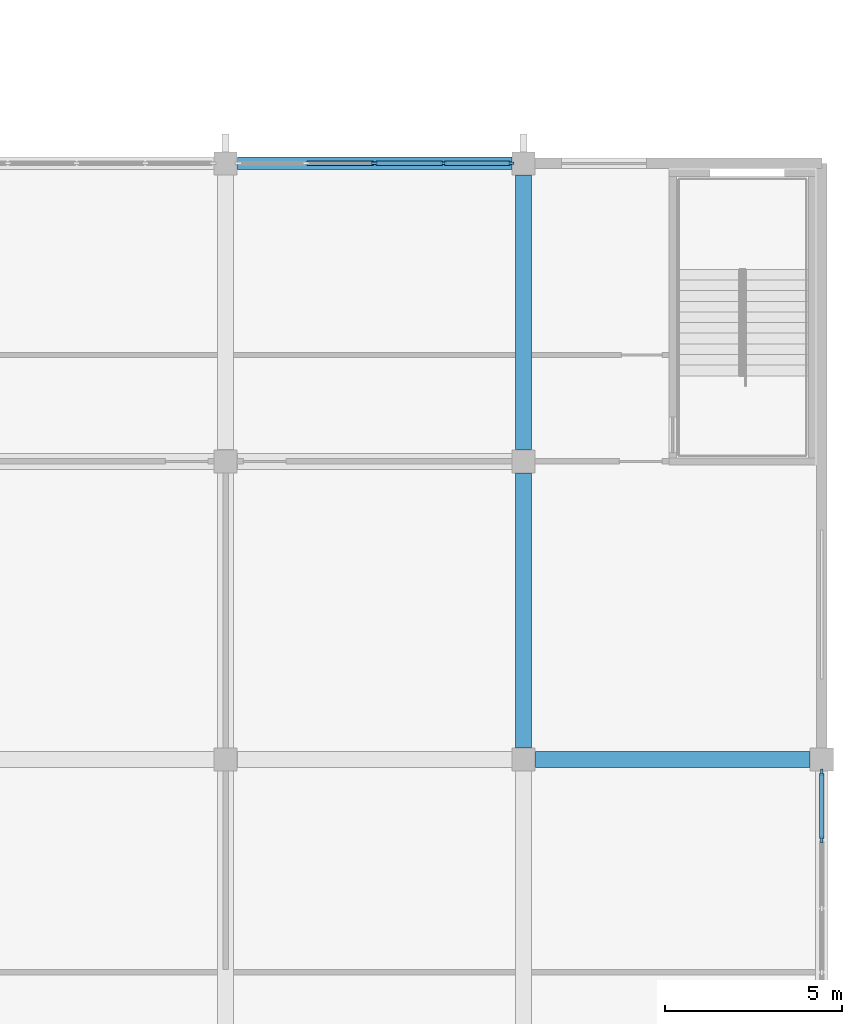
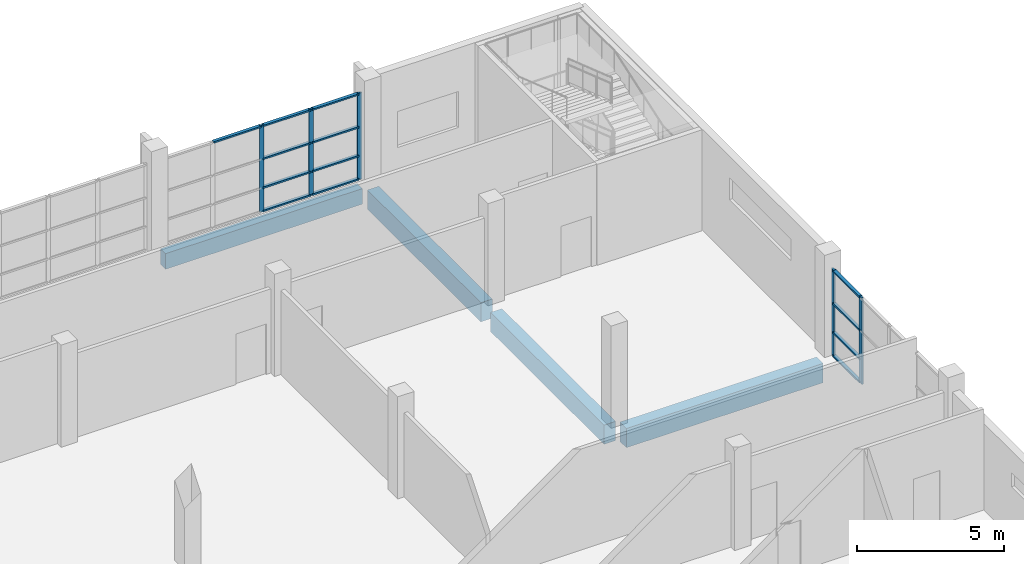
# One storey, part 9 of 64: 18 members, 4 beams, 2 elements without a shape of their own.
"""IFC4 building model written with IfcOpenShell, lengths in metres."""

from ifc_helpers import new_model, si_unit, direction, frame, origin, origin_2d, place, context, subcontext, project, spatial, rectangle, extrude, material, layer, layer_set, material_profile, profile_set, type_object, element, aggregate, save


model = new_model("IFC4")

# Units and contexts
model_context = context("Model", 3, precision=1e-05, world=origin(), true_north=direction((0.0, 1.0)))
body_context = subcontext(model_context, "Body", "Model", "MODEL_VIEW")
ifc_project = project(units=[si_unit("LENGTHUNIT", "METRE"), si_unit("AREAUNIT", "SQUARE_METRE"), si_unit("VOLUMEUNIT", "CUBIC_METRE"), si_unit("PLANEANGLEUNIT", "RADIAN"), si_unit("MASSUNIT", "GRAM", prefix="KILO")], contexts=[model_context])

# Site, building, storey
site_placement = place(None, origin())
site = spatial("IfcSite", under=ifc_project, at=site_placement, CompositionType="ELEMENT")
building_placement = place(site_placement, origin())
building = spatial("IfcBuilding", under=site, at=building_placement, Name="Rulbaag Community and Learning Centre", CompositionType="ELEMENT")
storey_placement = place(building_placement, frame((0.0, 0.0, 5.39990234375)))
storey = spatial("IfcBuildingStorey", under=building, at=storey_placement, Name="L01", CompositionType="ELEMENT", Elevation=5.39990234375)

# Beams
ifc_material_1 = material(Name="Concrete M40", Category="concrete")
ifc_material_profile_1 = material_profile(ifc_material_1, rectangle(XDim=0.449951171875, YDim=0.800048828125, at=origin_2d()), Name="RB450x800")
ifc_profile_set_1 = profile_set([ifc_material_profile_1], Name="Concrete M40")
beam_type_1 = type_object("IfcBeamType", Name="B21 Library floor beam 450x800 Concrete M40", PredefinedType="BEAM", material=ifc_profile_set_1)
for number, where, z_axis, x_axis, name in (
    (1, (159.929931640625, 33.60009765625, -0.699951171875), (1.0, 0.0, 0.0), (0.0, 1.0, 0.0), "BM-L01-20E-21E"),
    (2, (159.60009765625, 33.929931640625, -0.699951171875), (0.0, 1.0, 0.0), (-1.0, 0.0, 0.0), "BM-L01-20E-20F"),
    (3, (159.60009765625, 42.330078125, -0.699951171875), (0.0, 1.0, 0.0), (-1.0, 0.0, 0.0), "BM-L01-20F-20G"),
):
    element("IfcBeam", number, at=place(storey_placement, frame(where, z_axis=z_axis, x_axis=x_axis)), inside=storey, type_object=beam_type_1, Name=name, PredefinedType="BEAM", context=body_context, shape_type="SweptSolid", body=[
        extrude(rectangle(XDim=0.449951171875, YDim=0.800048828125, at=origin_2d()), origin(), (0.0, 0.0, 1.0), 7.739990234375),
    ])
ifc_material_profile_2 = material_profile(ifc_material_1, rectangle(XDim=0.35009765625, YDim=0.64990234375, at=origin_2d()), Name="RB350x650")
ifc_profile_set_2 = profile_set([ifc_material_profile_2], Name="Concrete M40")
beam_type_2 = type_object("IfcBeamType", Name="B8 Hall wing edge beam 350x650 Concrete M40", PredefinedType="BEAM", material=ifc_profile_set_2)
beam_placement = place(storey_placement, frame((151.530029296875, 50.39990234375, -0.625), z_axis=(1.0, 0.0, 0.0), x_axis=(0.0, 1.0, 0.0)))
element("IfcBeam", 4, at=beam_placement, inside=storey, type_object=beam_type_2, Name="BM-L01-19G-20G", PredefinedType="BEAM", context=body_context, shape_type="SweptSolid", body=[
    extrude(rectangle(XDim=0.35009765625, YDim=0.64990234375, at=origin_2d()), origin(), (0.0, 0.0, 1.0), 7.739990234375),
])

# Curtain wall, members
ifc_material_2 = material(Name="Aluminium", Category="aluminium")
ifc_layer = layer(ifc_material_2, 0.14990234375)
ifc_layer_set = layer_set([ifc_layer], Name="CW-L")
curtain_wall_type = type_object("IfcCurtainWallType", Name="CW-L", PredefinedType="USERDEFINED", material=ifc_layer_set)
curtain_wall_1_placement = place(storey_placement, origin())
curtain_wall_1 = element("IfcCurtainWall", 5, at=curtain_wall_1_placement, inside=storey, type_object=curtain_wall_type, Name="GL-L01-07", ObjectType="STICK CURTAIN WALL", PredefinedType="USERDEFINED")
ifc_material_3 = material(Name="Aluminium mullion", Category="aluminium")
ifc_material_profile_3 = material_profile(ifc_material_3, rectangle(XDim=0.06494140625, YDim=0.175048828125, at=origin_2d()), Name="AL 65x175")
ifc_profile_set_3 = profile_set([ifc_material_profile_3], Name="Aluminium mullion")
member_type_1 = type_object("IfcMemberType", Name="CW-L-MUL", PredefinedType="MULLION", material=ifc_profile_set_3)
member_1_placement = place(storey_placement, frame((155.39990234375, 50.39990234375, 0.0), z_axis=(0.0, 0.0, 1.0), x_axis=(0.0, 1.0, 0.0)))
member_1 = element("IfcMember", 6, at=member_1_placement, type_object=member_type_1, Name="GL mullion 3", PredefinedType="MULLION", context=body_context, shape_type="SweptSolid", body=[
    extrude(rectangle(XDim=0.06494140625, YDim=0.175048828125, at=origin_2d()), origin(), (0.0, 0.0, 1.0), 3.60009765625),
])
member_2_placement = place(storey_placement, frame((157.33740234375, 50.39990234375, 0.0), z_axis=(0.0, 0.0, 1.0), x_axis=(0.0, 1.0, 0.0)))
member_2 = element("IfcMember", 7, at=member_2_placement, type_object=member_type_1, Name="GL mullion 4", PredefinedType="MULLION", context=body_context, shape_type="SweptSolid", body=[
    extrude(rectangle(XDim=0.06494140625, YDim=0.175048828125, at=origin_2d()), origin(), (0.0, 0.0, 1.0), 3.60009765625),
])
member_3_placement = place(storey_placement, frame((159.242431640625, 50.39990234375, 0.0), z_axis=(0.0, 0.0, 1.0), x_axis=(0.0, 1.0, 0.0)))
member_3 = element("IfcMember", 8, at=member_3_placement, type_object=member_type_1, Name="GL mullion 5", PredefinedType="MULLION", context=body_context, shape_type="SweptSolid", body=[
    extrude(rectangle(XDim=0.06494140625, YDim=0.175048828125, at=origin_2d()), origin(), (0.0, 0.0, 1.0), 3.60009765625),
])

curtain_wall_2_placement = place(storey_placement, origin())
curtain_wall_2 = element("IfcCurtainWall", 9, at=curtain_wall_2_placement, inside=storey, type_object=curtain_wall_type, Name="GL-L01-09", ObjectType="STICK CURTAIN WALL", PredefinedType="USERDEFINED")
member_4_placement = place(storey_placement, frame((168.0, 31.33740234375, 0.0), z_axis=(0.0, 0.0, 1.0), x_axis=(-1.0, 0.0, 0.0)))
member_4 = element("IfcMember", 10, at=member_4_placement, type_object=member_type_1, Name="GL mullion 4", PredefinedType="MULLION", context=body_context, shape_type="SweptSolid", body=[
    extrude(rectangle(XDim=0.06494140625, YDim=0.175048828125, at=origin_2d()), origin(), (0.0, 0.0, 1.0), 3.60009765625),
])
member_5_placement = place(storey_placement, frame((168.0, 33.242431640625, 0.0), z_axis=(0.0, 0.0, 1.0), x_axis=(-1.0, 0.0, 0.0)))
member_5 = element("IfcMember", 11, at=member_5_placement, type_object=member_type_1, Name="GL mullion 5", PredefinedType="MULLION", context=body_context, shape_type="SweptSolid", body=[
    extrude(rectangle(XDim=0.06494140625, YDim=0.175048828125, at=origin_2d()), origin(), (0.0, 0.0, 1.0), 3.60009765625),
])

# Member
ifc_material_4 = material(Name="Aluminium transom", Category="aluminium")
ifc_material_profile_4 = material_profile(ifc_material_4, rectangle(XDim=0.125, YDim=0.06494140625, at=origin_2d()), Name="AL 65x125 T")
ifc_profile_set_4 = profile_set([ifc_material_profile_4], Name="Aluminium transom")
member_type_2 = type_object("IfcMemberType", Name="CW-L-TRN", PredefinedType="USERDEFINED", material=ifc_profile_set_4)
member_6_placement = place(storey_placement, frame((153.4951171875, 50.39990234375, 3.567626953125), z_axis=(1.0, 0.0, 0.0), x_axis=(0.0, 1.0, 0.0)))
member_6 = element("IfcMember", 12, at=member_6_placement, type_object=member_type_2, Name="GL transom 2.4", ObjectType="TRANSOM", PredefinedType="USERDEFINED", context=body_context, shape_type="SweptSolid", body=[
    extrude(rectangle(XDim=0.125, YDim=0.06494140625, at=origin_2d()), origin(), (0.0, 0.0, 1.0), 1.872314453125),
])

member_7_placement = place(storey_placement, frame((155.4326171875, 50.39990234375, 0.03271484375), z_axis=(1.0, 0.0, 0.0), x_axis=(0.0, 1.0, 0.0)))
member_7 = element("IfcMember", 13, at=member_7_placement, type_object=member_type_2, Name="GL transom 3.1", ObjectType="TRANSOM", PredefinedType="USERDEFINED", context=body_context, shape_type="SweptSolid", body=[
    extrude(rectangle(XDim=0.125, YDim=0.06494140625, at=origin_2d()), origin(), (0.0, 0.0, 1.0), 1.872314453125),
])

member_8_placement = place(storey_placement, frame((155.4326171875, 50.39990234375, 1.0), z_axis=(1.0, 0.0, 0.0), x_axis=(0.0, 1.0, 0.0)))
member_8 = element("IfcMember", 14, at=member_8_placement, type_object=member_type_2, Name="GL transom 3.2", ObjectType="TRANSOM", PredefinedType="USERDEFINED", context=body_context, shape_type="SweptSolid", body=[
    extrude(rectangle(XDim=0.125, YDim=0.06494140625, at=origin_2d()), origin(), (0.0, 0.0, 1.0), 1.872314453125),
])

member_9_placement = place(storey_placement, frame((155.4326171875, 50.39990234375, 2.2001953125), z_axis=(1.0, 0.0, 0.0), x_axis=(0.0, 1.0, 0.0)))
member_9 = element("IfcMember", 15, at=member_9_placement, type_object=member_type_2, Name="GL transom 3.3", ObjectType="TRANSOM", PredefinedType="USERDEFINED", context=body_context, shape_type="SweptSolid", body=[
    extrude(rectangle(XDim=0.125, YDim=0.06494140625, at=origin_2d()), origin(), (0.0, 0.0, 1.0), 1.872314453125),
])

member_10_placement = place(storey_placement, frame((155.4326171875, 50.39990234375, 3.567626953125), z_axis=(1.0, 0.0, 0.0), x_axis=(0.0, 1.0, 0.0)))
member_10 = element("IfcMember", 16, at=member_10_placement, type_object=member_type_2, Name="GL transom 3.4", ObjectType="TRANSOM", PredefinedType="USERDEFINED", context=body_context, shape_type="SweptSolid", body=[
    extrude(rectangle(XDim=0.125, YDim=0.06494140625, at=origin_2d()), origin(), (0.0, 0.0, 1.0), 1.872314453125),
])

member_11_placement = place(storey_placement, frame((157.3701171875, 50.39990234375, 0.03271484375), z_axis=(1.0, 0.0, 0.0), x_axis=(0.0, 1.0, 0.0)))
member_11 = element("IfcMember", 17, at=member_11_placement, type_object=member_type_2, Name="GL transom 4.1", ObjectType="TRANSOM", PredefinedType="USERDEFINED", context=body_context, shape_type="SweptSolid", body=[
    extrude(rectangle(XDim=0.125, YDim=0.06494140625, at=origin_2d()), origin(), (0.0, 0.0, 1.0), 1.83984375),
])

member_12_placement = place(storey_placement, frame((157.3701171875, 50.39990234375, 1.0), z_axis=(1.0, 0.0, 0.0), x_axis=(0.0, 1.0, 0.0)))
member_12 = element("IfcMember", 18, at=member_12_placement, type_object=member_type_2, Name="GL transom 4.2", ObjectType="TRANSOM", PredefinedType="USERDEFINED", context=body_context, shape_type="SweptSolid", body=[
    extrude(rectangle(XDim=0.125, YDim=0.06494140625, at=origin_2d()), origin(), (0.0, 0.0, 1.0), 1.83984375),
])

member_13_placement = place(storey_placement, frame((157.3701171875, 50.39990234375, 2.2001953125), z_axis=(1.0, 0.0, 0.0), x_axis=(0.0, 1.0, 0.0)))
member_13 = element("IfcMember", 19, at=member_13_placement, type_object=member_type_2, Name="GL transom 4.3", ObjectType="TRANSOM", PredefinedType="USERDEFINED", context=body_context, shape_type="SweptSolid", body=[
    extrude(rectangle(XDim=0.125, YDim=0.06494140625, at=origin_2d()), origin(), (0.0, 0.0, 1.0), 1.83984375),
])

member_14_placement = place(storey_placement, frame((157.3701171875, 50.39990234375, 3.567626953125), z_axis=(1.0, 0.0, 0.0), x_axis=(0.0, 1.0, 0.0)))
member_14 = element("IfcMember", 20, at=member_14_placement, type_object=member_type_2, Name="GL transom 4.4", ObjectType="TRANSOM", PredefinedType="USERDEFINED", context=body_context, shape_type="SweptSolid", body=[
    extrude(rectangle(XDim=0.125, YDim=0.06494140625, at=origin_2d()), origin(), (0.0, 0.0, 1.0), 1.83984375),
])

aggregate(curtain_wall_1, [member_1, member_2, member_3, member_6, member_7, member_8, member_9, member_10, member_11, member_12, member_13, member_14])

member_15_placement = place(storey_placement, frame((168.0, 31.3701171875, 0.03271484375), z_axis=(0.0, 1.0, 0.0), x_axis=(-1.0, 0.0, 0.0)))
member_15 = element("IfcMember", 21, at=member_15_placement, type_object=member_type_2, Name="GL transom 4.1", ObjectType="TRANSOM", PredefinedType="USERDEFINED", context=body_context, shape_type="SweptSolid", body=[
    extrude(rectangle(XDim=0.125, YDim=0.06494140625, at=origin_2d()), origin(), (0.0, 0.0, 1.0), 1.83984375),
])

member_16_placement = place(storey_placement, frame((168.0, 31.3701171875, 1.0), z_axis=(0.0, 1.0, 0.0), x_axis=(-1.0, 0.0, 0.0)))
member_16 = element("IfcMember", 22, at=member_16_placement, type_object=member_type_2, Name="GL transom 4.2", ObjectType="TRANSOM", PredefinedType="USERDEFINED", context=body_context, shape_type="SweptSolid", body=[
    extrude(rectangle(XDim=0.125, YDim=0.06494140625, at=origin_2d()), origin(), (0.0, 0.0, 1.0), 1.83984375),
])

member_17_placement = place(storey_placement, frame((168.0, 31.3701171875, 2.2001953125), z_axis=(0.0, 1.0, 0.0), x_axis=(-1.0, 0.0, 0.0)))
member_17 = element("IfcMember", 23, at=member_17_placement, type_object=member_type_2, Name="GL transom 4.3", ObjectType="TRANSOM", PredefinedType="USERDEFINED", context=body_context, shape_type="SweptSolid", body=[
    extrude(rectangle(XDim=0.125, YDim=0.06494140625, at=origin_2d()), origin(), (0.0, 0.0, 1.0), 1.83984375),
])

member_18_placement = place(storey_placement, frame((168.0, 31.3701171875, 3.567626953125), z_axis=(0.0, 1.0, 0.0), x_axis=(-1.0, 0.0, 0.0)))
member_18 = element("IfcMember", 24, at=member_18_placement, type_object=member_type_2, Name="GL transom 4.4", ObjectType="TRANSOM", PredefinedType="USERDEFINED", context=body_context, shape_type="SweptSolid", body=[
    extrude(rectangle(XDim=0.125, YDim=0.06494140625, at=origin_2d()), origin(), (0.0, 0.0, 1.0), 1.83984375),
])

aggregate(curtain_wall_2, [member_4, member_5, member_15, member_16, member_17, member_18])

save(model, "model.ifc")
